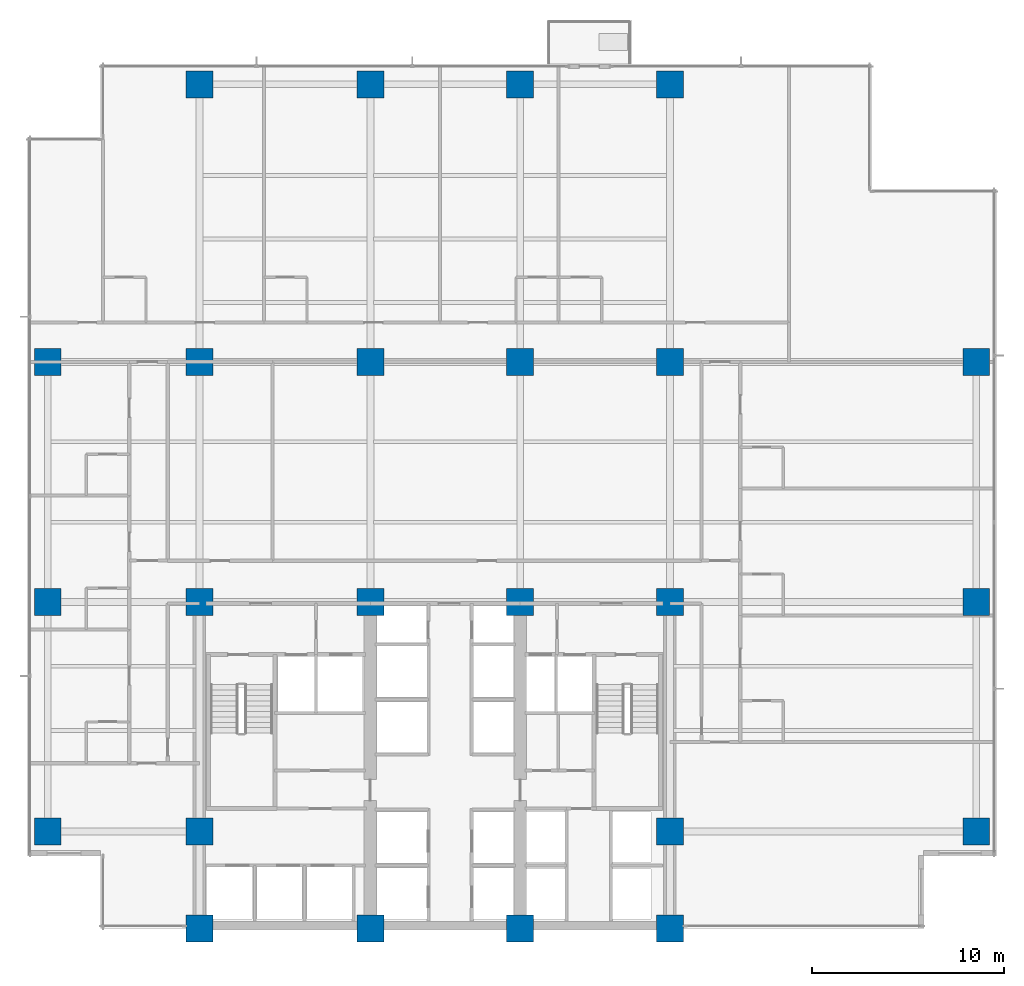
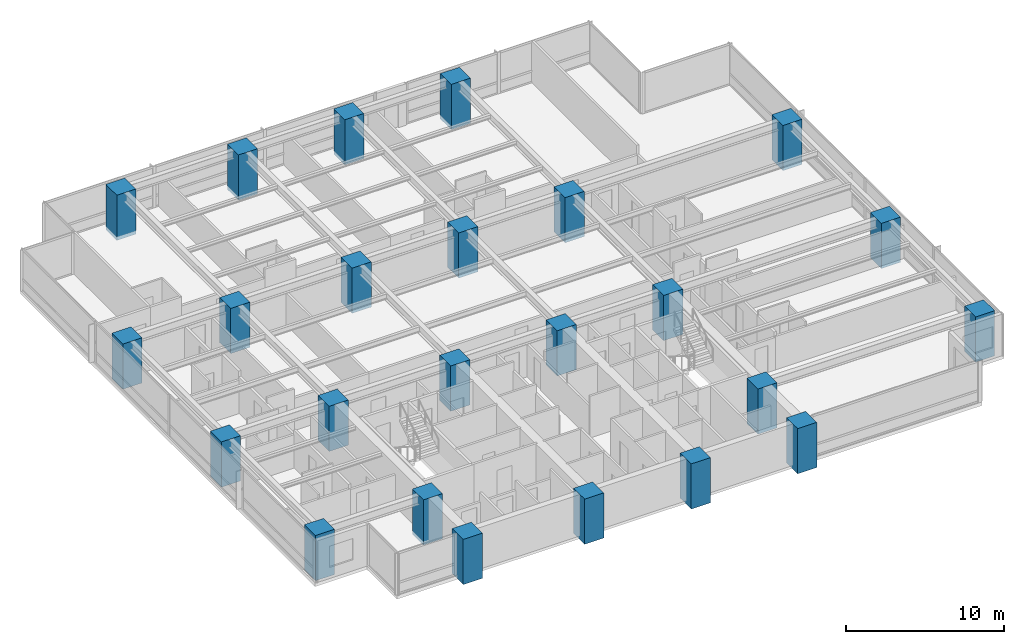
# One storey, part 1 of 16: 24 columns.
"""IFC4 building model written with IfcOpenShell, lengths in metres."""

from ifc_helpers import new_model, si_unit, direction, frame, origin, origin_2d, place, context, subcontext, project, spatial, rectangle, extrude, material, material_profile, profile_set, type_object, element, save


model = new_model("IFC4")

# Units and contexts
model_context = context("Model", 3, precision=1e-05, world=origin(), true_north=direction((0.0, 1.0)))
body_context = subcontext(model_context, "Body", "Model", "MODEL_VIEW")
ifc_project = project(units=[si_unit("LENGTHUNIT", "METRE"), si_unit("AREAUNIT", "SQUARE_METRE"), si_unit("VOLUMEUNIT", "CUBIC_METRE"), si_unit("PLANEANGLEUNIT", "RADIAN"), si_unit("MASSUNIT", "GRAM", prefix="KILO")], contexts=[model_context])

# Site, building, storey
site_placement = place(None, origin())
site = spatial("IfcSite", under=ifc_project, at=site_placement, CompositionType="ELEMENT")
building_placement = place(site_placement, origin())
building = spatial("IfcBuilding", under=site, at=building_placement, Name="Qalmaran Belvedere Hotel", CompositionType="ELEMENT")
storey_placement = place(building_placement, frame((0.0, 0.0, 64.89990234375)))
storey = spatial("IfcBuildingStorey", under=building, at=storey_placement, Name="L16", CompositionType="ELEMENT", Elevation=64.89990234375)

# Columns
ifc_material = material(Name="Concrete C60/75", Category="concrete")
ifc_material_profile = material_profile(ifc_material, rectangle(XDim=1.39990234375, YDim=1.39990234375, at=origin_2d()), Name="CC1400X1400")
ifc_profile_set = profile_set([ifc_material_profile], Name="Concrete C60/75")
column_type = type_object("IfcColumnType", Name="COL-Z1-CC1400", PredefinedType="COLUMN", material=ifc_profile_set)
for number, where, z_axis, x_axis, name in (
    (1, (20.300048828125, 3.5, -0.27978515625), (0.0, 0.0, 1.0), (1.0, 0.0, 0.0), "L16 Column C4B"),
    (2, (29.199951171875, 3.5, -0.27978515625), (0.0, 0.0, 1.0), (1.0, 0.0, 0.0), "L16 Column C5B"),
    (3, (37.0, 3.5, -0.27978515625), (0.0, 0.0, 1.0), (1.0, 0.0, 0.0), "L16 Column C6B"),
    (4, (44.800048828125, 3.5, -0.27978515625), (0.0, 0.0, 1.0), (1.0, 0.0, 0.0), "L16 Column C7B"),
    (5, (20.300048828125, 8.550048828125, -0.27978515625), (0.0, 0.0, 1.0), (1.0, 0.0, 0.0), "L16 Column C4C"),
    (6, (44.800048828125, 8.550048828125, -0.27978515625), (0.0, 0.0, 1.0), (1.0, 0.0, 0.0), "L16 Column C7C"),
    (7, (20.300048828125, 20.5, -0.27978515625), (0.0, 0.0, 1.0), (1.0, 0.0, 0.0), "L16 Column C4D"),
    (8, (29.199951171875, 20.5, -0.27978515625), (0.0, 0.0, 1.0), (1.0, 0.0, 0.0), "L16 Column C5D"),
    (9, (37.0, 20.5, -0.27978515625), (0.0, 0.0, 1.0), (1.0, 0.0, 0.0), "L16 Column C6D"),
    (10, (44.800048828125, 20.5, -0.27978515625), (0.0, 0.0, 1.0), (1.0, 0.0, 0.0), "L16 Column C7D"),
    (11, (20.300048828125, 33.0, -0.27978515625), (0.0, 0.0, 1.0), (1.0, 0.0, 0.0), "L16 Column C4F"),
    (12, (29.199951171875, 33.0, -0.27978515625), (0.0, 0.0, 1.0), (1.0, 0.0, 0.0), "L16 Column C5F"),
    (13, (37.0, 33.0, -0.27978515625), (0.0, 0.0, 1.0), (1.0, 0.0, 0.0), "L16 Column C6F"),
    (14, (44.800048828125, 33.0, -0.27978515625), (0.0, 0.0, 1.0), (1.0, 0.0, 0.0), "L16 Column C7F"),
    (15, (12.39990234375, 8.550048828125, -0.27978515625), (0.0, 0.0, 1.0), (1.0, 0.0, 0.0), "L16 Column CW1"),
    (16, (12.39990234375, 20.5, -0.27978515625), (0.0, 0.0, 1.0), (1.0, 0.0, 0.0), "L16 Column CW3"),
    (17, (12.39990234375, 33.0, -0.27978515625), (0.0, 0.0, 1.0), (1.0, 0.0, 0.0), "L16 Column CW4"),
    (18, (60.75, 8.550048828125, -0.27978515625), (0.0, 0.0, 1.0), (1.0, 0.0, 0.0), "L16 Column CE1"),
    (19, (60.75, 20.5, -0.27978515625), (0.0, 0.0, 1.0), (1.0, 0.0, 0.0), "L16 Column CE3"),
    (20, (60.75, 33.0, -0.27978515625), (0.0, 0.0, 1.0), (1.0, 0.0, 0.0), "L16 Column CE4"),
    (21, (20.300048828125, 47.449951171875, -0.27978515625), (0.0, 0.0, 1.0), (1.0, 0.0, 0.0), "L16 Column CN1"),
    (22, (29.199951171875, 47.449951171875, -0.27978515625), (0.0, 0.0, 1.0), (1.0, 0.0, 0.0), "L16 Column CN2"),
    (23, (37.0, 47.449951171875, -0.27978515625), (0.0, 0.0, 1.0), (1.0, 0.0, 0.0), "L16 Column CN3"),
    (24, (44.800048828125, 47.449951171875, -0.27978515625), (0.0, 0.0, 1.0), (1.0, 0.0, 0.0), "L16 Column CN4"),
):
    element("IfcColumn", number, at=place(storey_placement, frame(where, z_axis=z_axis, x_axis=x_axis)), inside=storey, type_object=column_type, Name=name, PredefinedType="COLUMN", context=body_context, shape_type="SweptSolid", body=[
        extrude(rectangle(XDim=1.39990234375, YDim=1.39990234375, at=origin_2d()), origin(), (0.0, 0.0, 1.0), 3.5),
    ])

save(model, "model.ifc")
